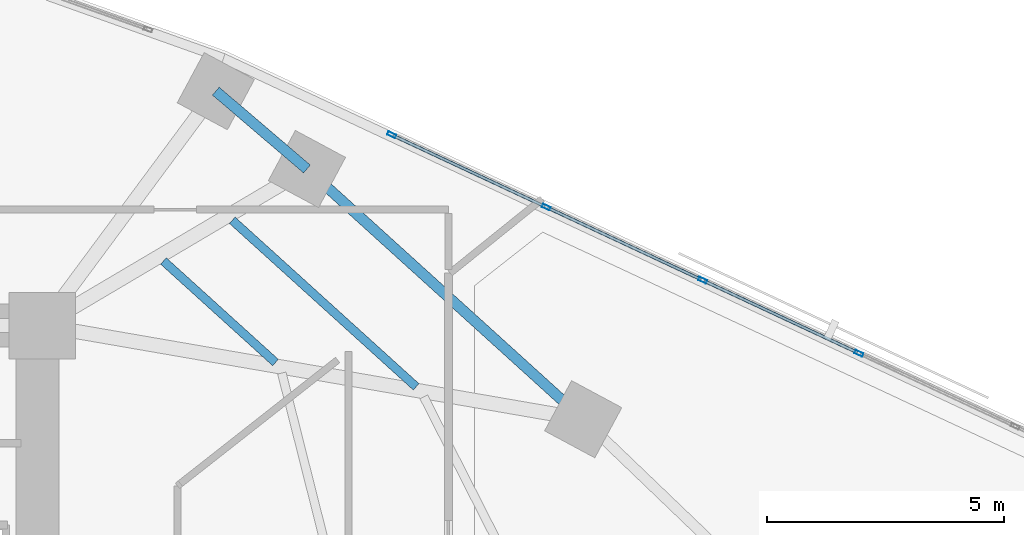
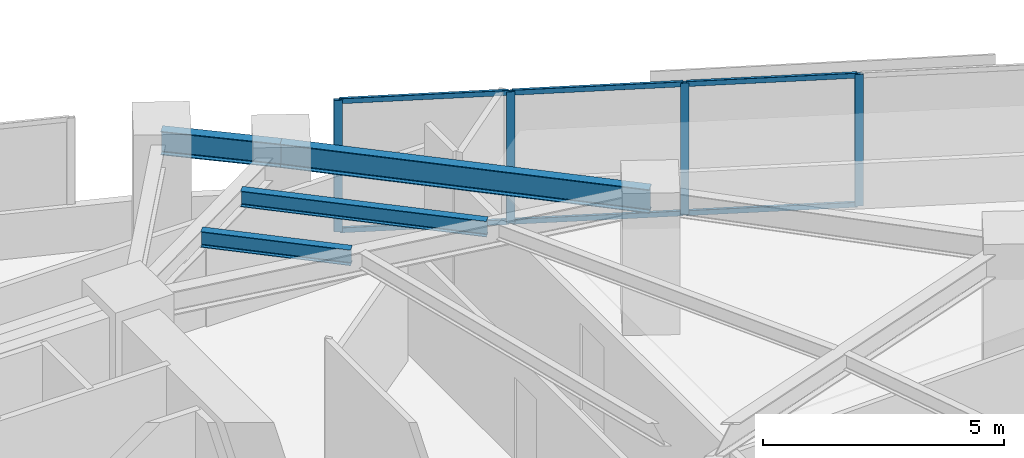
# One storey, part 4 of 15: 10 members, 4 beams, 1 element without a shape of its own.
"""IFC4 building model written with IfcOpenShell, lengths in metres."""

from ifc_helpers import new_model, si_unit, direction, frame, origin, origin_2d, place, context, subcontext, project, spatial, hollow_rectangle, i_section, extrude, material, material_profile, profile_set, type_object, element, aggregate, save


model = new_model("IFC4")

# Units and contexts
model_context = context("Model", 3, precision=1e-05, world=origin(), true_north=direction((0.0, 1.0)))
body_context = subcontext(model_context, "Body", "Model", "MODEL_VIEW")
ifc_project = project(units=[si_unit("LENGTHUNIT", "METRE"), si_unit("AREAUNIT", "SQUARE_METRE"), si_unit("VOLUMEUNIT", "CUBIC_METRE"), si_unit("PLANEANGLEUNIT", "RADIAN"), si_unit("MASSUNIT", "GRAM", prefix="KILO")], contexts=[model_context])

# Site, building, storey
site_placement = place(None, origin())
site = spatial("IfcSite", under=ifc_project, at=site_placement, CompositionType="ELEMENT")
building_placement = place(site_placement, origin())
building = spatial("IfcBuilding", under=site, at=building_placement, Name="Narakoshi Arena Tower", CompositionType="ELEMENT")
storey_placement = place(building_placement, frame((0.0, 0.0, 143.10009765625)))
storey = spatial("IfcBuildingStorey", under=building, at=storey_placement, Name="L38", CompositionType="ELEMENT", Elevation=143.10009765625)

# Beams
ifc_material_1 = material(Name="Structural steel S355J2", Category="steel")
ifc_material_profile_1 = material_profile(ifc_material_1, i_section(OverallWidth=0.219970703125, OverallDepth=0.60009765625, WebThickness=0.011962890625, FlangeThickness=0.01904296875, FilletRadius=0.02392578125, at=origin_2d()), Name="IPE600")
ifc_profile_set_1 = profile_set([ifc_material_profile_1], Name="Structural steel S355J2")
beam_type_1 = type_object("IfcBeamType", Name="BM-EDGE-600", PredefinedType="BEAM", material=ifc_profile_set_1)
beam_1_placement = place(storey_placement, frame((96.9443359375, 54.528076171875, 3.039794921875), z_axis=(-0.741140720169, 0.671349709844, 0.0), x_axis=(-0.671349709844, -0.741140720169, 0.0)))
element("IfcBeam", 1, at=beam_1_placement, inside=storey, type_object=beam_type_1, Name="L38 Perimeter Edge Girder 06", PredefinedType="BEAM", context=body_context, shape_type="SweptSolid", body=[
    extrude(i_section(OverallWidth=0.219970703125, OverallDepth=0.60009765625, WebThickness=0.011962890625, FlangeThickness=0.01904296875, FilletRadius=0.02392578125, at=origin_2d()), origin(), (0.0, 0.0, 1.0), 7.849853515625),
])
beam_2_placement = place(storey_placement, frame((91.12646484375, 59.798095703125, 3.039794921875), z_axis=(-0.760388602298, 0.649468377595, 0.0), x_axis=(-0.649468377595, -0.760388602298, 0.0)))
element("IfcBeam", 2, at=beam_2_placement, inside=storey, type_object=beam_type_1, Name="L38 Perimeter Edge Girder 07", PredefinedType="BEAM", context=body_context, shape_type="SweptSolid", body=[
    extrude(i_section(OverallWidth=0.219970703125, OverallDepth=0.60009765625, WebThickness=0.011962890625, FlangeThickness=0.01904296875, FilletRadius=0.02392578125, at=origin_2d()), origin(), (0.0, 0.0, 1.0), 2.524658203125),
])
ifc_material_profile_2 = material_profile(ifc_material_1, i_section(OverallWidth=0.179931640625, OverallDepth=0.39990234375, WebThickness=0.008544921875, FlangeThickness=0.013427734375, FilletRadius=0.02099609375, at=origin_2d()), Name="IPE400")
ifc_profile_set_2 = profile_set([ifc_material_profile_2], Name="Structural steel S355J2")
beam_type_2 = type_object("IfcBeamType", Name="BM-SEC-400", PredefinedType="JOIST", material=ifc_profile_set_2)
beam_3_placement = place(storey_placement, frame((90.46337890625, 55.722900390625, 3.139892578125), z_axis=(-0.741097827097, 0.671397058879, 0.0), x_axis=(-0.671397058879, -0.741097827097, 0.0)))
element("IfcBeam", 3, at=beam_3_placement, inside=storey, type_object=beam_type_2, Name="L38 Composite Secondary Floor Joist 05", PredefinedType="JOIST", context=body_context, shape_type="SweptSolid", body=[
    extrude(i_section(OverallWidth=0.179931640625, OverallDepth=0.39990234375, WebThickness=0.008544921875, FlangeThickness=0.013427734375, FilletRadius=0.02099609375, at=origin_2d()), origin(), (0.0, 0.0, 1.0), 3.183837890625),
])
beam_4_placement = place(storey_placement, frame((93.426025390625, 55.210205078125, 3.139892578125), z_axis=(-0.741148224451, 0.671341425351, 0.0), x_axis=(-0.671341425351, -0.741148224451, 0.0)))
element("IfcBeam", 4, at=beam_4_placement, inside=storey, type_object=beam_type_2, Name="L38 Composite Secondary Floor Joist 06", PredefinedType="JOIST", context=body_context, shape_type="SweptSolid", body=[
    extrude(i_section(OverallWidth=0.179931640625, OverallDepth=0.39990234375, WebThickness=0.008544921875, FlangeThickness=0.013427734375, FilletRadius=0.02099609375, at=origin_2d()), origin(), (0.0, 0.0, 1.0), 5.22509765625),
])

# Curtain wall, members
ifc_material_2 = material(Name="Anodised bronze aluminium 6063-T6", Category="aluminium")
curtain_wall_type = type_object("IfcCurtainWallType", Name="CW-HYP-MID", PredefinedType="NOTDEFINED", material=ifc_material_2)
curtain_wall_placement = place(storey_placement, origin())
curtain_wall = element("IfcCurtainWall", 5, at=curtain_wall_placement, inside=storey, type_object=curtain_wall_type, Name="L38 Folded Hypotenuse Curtain Wall 1-1", PredefinedType="NOTDEFINED")
ifc_material_profile_3 = material_profile(ifc_material_2, hollow_rectangle(XDim=0.074951171875, YDim=0.179931640625, WallThickness=0.00390625, OuterFilletRadius=0.0048828125, at=origin_2d()), Name="MUL180x75x4")
ifc_profile_set_3 = profile_set([ifc_material_profile_3], Name="Anodised bronze aluminium 6063-T6")
member_type_1 = type_object("IfcMemberType", Name="MEM-MUL-180", PredefinedType="MULLION", material=ifc_profile_set_3)
member_1_placement = place(storey_placement, frame((102.75048828125, 55.917236328125, 0.0), z_axis=(0.0, 0.0, 1.0), x_axis=(-0.423531721612, -0.905881273009, 0.0)))
member_1 = element("IfcMember", 6, at=member_1_placement, type_object=member_type_1, Name="CW-02 mullion 6", PredefinedType="MULLION", context=body_context, shape_type="SweptSolid", body=[
    extrude(hollow_rectangle(XDim=0.074951171875, YDim=0.179931640625, WallThickness=0.00390625, OuterFilletRadius=0.0048828125, at=origin_2d()), origin(), (0.0, 0.0, 1.0), 3.33984375),
])
member_2_placement = place(storey_placement, frame((99.458984375, 57.4560546875, 0.0), z_axis=(0.0, 0.0, 1.0), x_axis=(-0.423531721612, -0.905881273009, 0.0)))
member_2 = element("IfcMember", 7, at=member_2_placement, type_object=member_type_1, Name="CW-02 mullion 7", PredefinedType="MULLION", context=body_context, shape_type="SweptSolid", body=[
    extrude(hollow_rectangle(XDim=0.074951171875, YDim=0.179931640625, WallThickness=0.00390625, OuterFilletRadius=0.0048828125, at=origin_2d()), origin(), (0.0, 0.0, 1.0), 3.33984375),
])
member_3_placement = place(storey_placement, frame((96.16748046875, 58.994873046875, 0.0), z_axis=(0.0, 0.0, 1.0), x_axis=(-0.423531721612, -0.905881273009, 0.0)))
member_3 = element("IfcMember", 8, at=member_3_placement, type_object=member_type_1, Name="CW-02 mullion 8", PredefinedType="MULLION", context=body_context, shape_type="SweptSolid", body=[
    extrude(hollow_rectangle(XDim=0.074951171875, YDim=0.179931640625, WallThickness=0.00390625, OuterFilletRadius=0.0048828125, at=origin_2d()), origin(), (0.0, 0.0, 1.0), 3.33984375),
])
member_4_placement = place(storey_placement, frame((92.91015625, 60.517822265625, 0.0), z_axis=(0.0, 0.0, 1.0), x_axis=(-0.423531721612, -0.905881273009, 0.0)))
member_4 = element("IfcMember", 9, at=member_4_placement, type_object=member_type_1, Name="CW-02 mullion 9", PredefinedType="MULLION", context=body_context, shape_type="SweptSolid", body=[
    extrude(hollow_rectangle(XDim=0.074951171875, YDim=0.179931640625, WallThickness=0.00390625, OuterFilletRadius=0.0048828125, at=origin_2d()), origin(), (0.0, 0.0, 1.0), 3.33984375),
])
ifc_material_profile_4 = material_profile(ifc_material_2, hollow_rectangle(XDim=0.06494140625, YDim=0.1298828125, WallThickness=0.00390625, OuterFilletRadius=0.0048828125, at=origin_2d()), Name="TRN130x65x4")
ifc_profile_set_4 = profile_set([ifc_material_profile_4], Name="Anodised bronze aluminium 6063-T6")
member_type_2 = type_object("IfcMemberType", Name="MEM-TRN-130", PredefinedType="USERDEFINED", material=ifc_profile_set_4)
member_5_placement = place(storey_placement, frame((102.716552734375, 55.93310546875, 0.032470703125), z_axis=(-0.905877908574, 0.423538917642, 0.0), x_axis=(-0.423538917642, -0.905877908574, 0.0)))
member_5 = element("IfcMember", 10, at=member_5_placement, type_object=member_type_2, Name="CW-02 transom 6.1", ObjectType="TRANSOM", PredefinedType="USERDEFINED", context=body_context, shape_type="SweptSolid", body=[
    extrude(hollow_rectangle(XDim=0.06494140625, YDim=0.1298828125, WallThickness=0.00390625, OuterFilletRadius=0.0048828125, at=origin_2d()), origin(), (0.0, 0.0, 1.0), 3.558349609375),
])
member_6_placement = place(storey_placement, frame((102.716552734375, 55.93310546875, 3.307373046875), z_axis=(-0.905877908574, 0.423538917642, 0.0), x_axis=(-0.423538917642, -0.905877908574, 0.0)))
member_6 = element("IfcMember", 11, at=member_6_placement, type_object=member_type_2, Name="CW-02 transom 6.2", ObjectType="TRANSOM", PredefinedType="USERDEFINED", context=body_context, shape_type="SweptSolid", body=[
    extrude(hollow_rectangle(XDim=0.06494140625, YDim=0.1298828125, WallThickness=0.00390625, OuterFilletRadius=0.0048828125, at=origin_2d()), origin(), (0.0, 0.0, 1.0), 3.558349609375),
])
member_7_placement = place(storey_placement, frame((99.425048828125, 57.471923828125, 0.032470703125), z_axis=(-0.905877908574, 0.423538917642, 0.0), x_axis=(-0.423538917642, -0.905877908574, 0.0)))
member_7 = element("IfcMember", 12, at=member_7_placement, type_object=member_type_2, Name="CW-02 transom 7.1", ObjectType="TRANSOM", PredefinedType="USERDEFINED", context=body_context, shape_type="SweptSolid", body=[
    extrude(hollow_rectangle(XDim=0.06494140625, YDim=0.1298828125, WallThickness=0.00390625, OuterFilletRadius=0.0048828125, at=origin_2d()), origin(), (0.0, 0.0, 1.0), 3.558349609375),
])
member_8_placement = place(storey_placement, frame((99.425048828125, 57.471923828125, 3.307373046875), z_axis=(-0.905877908574, 0.423538917642, 0.0), x_axis=(-0.423538917642, -0.905877908574, 0.0)))
member_8 = element("IfcMember", 13, at=member_8_placement, type_object=member_type_2, Name="CW-02 transom 7.2", ObjectType="TRANSOM", PredefinedType="USERDEFINED", context=body_context, shape_type="SweptSolid", body=[
    extrude(hollow_rectangle(XDim=0.06494140625, YDim=0.1298828125, WallThickness=0.00390625, OuterFilletRadius=0.0048828125, at=origin_2d()), origin(), (0.0, 0.0, 1.0), 3.558349609375),
])
member_9_placement = place(storey_placement, frame((96.133544921875, 59.0107421875, 0.032470703125), z_axis=(-0.9058782068, 0.423538279787, 0.0), x_axis=(-0.423538279787, -0.9058782068, 0.0)))
member_9 = element("IfcMember", 14, at=member_9_placement, type_object=member_type_2, Name="CW-02 transom 8.1", ObjectType="TRANSOM", PredefinedType="USERDEFINED", context=body_context, shape_type="SweptSolid", body=[
    extrude(hollow_rectangle(XDim=0.06494140625, YDim=0.1298828125, WallThickness=0.00390625, OuterFilletRadius=0.0048828125, at=origin_2d()), origin(), (0.0, 0.0, 1.0), 3.520751953125),
])
member_10_placement = place(storey_placement, frame((96.133544921875, 59.0107421875, 3.307373046875), z_axis=(-0.9058782068, 0.423538279787, 0.0), x_axis=(-0.423538279787, -0.9058782068, 0.0)))
member_10 = element("IfcMember", 15, at=member_10_placement, type_object=member_type_2, Name="CW-02 transom 8.2", ObjectType="TRANSOM", PredefinedType="USERDEFINED", context=body_context, shape_type="SweptSolid", body=[
    extrude(hollow_rectangle(XDim=0.06494140625, YDim=0.1298828125, WallThickness=0.00390625, OuterFilletRadius=0.0048828125, at=origin_2d()), origin(), (0.0, 0.0, 1.0), 3.520751953125),
])
aggregate(curtain_wall, [member_1, member_2, member_3, member_4, member_5, member_6, member_7, member_8, member_9, member_10])

save(model, "model.ifc")
